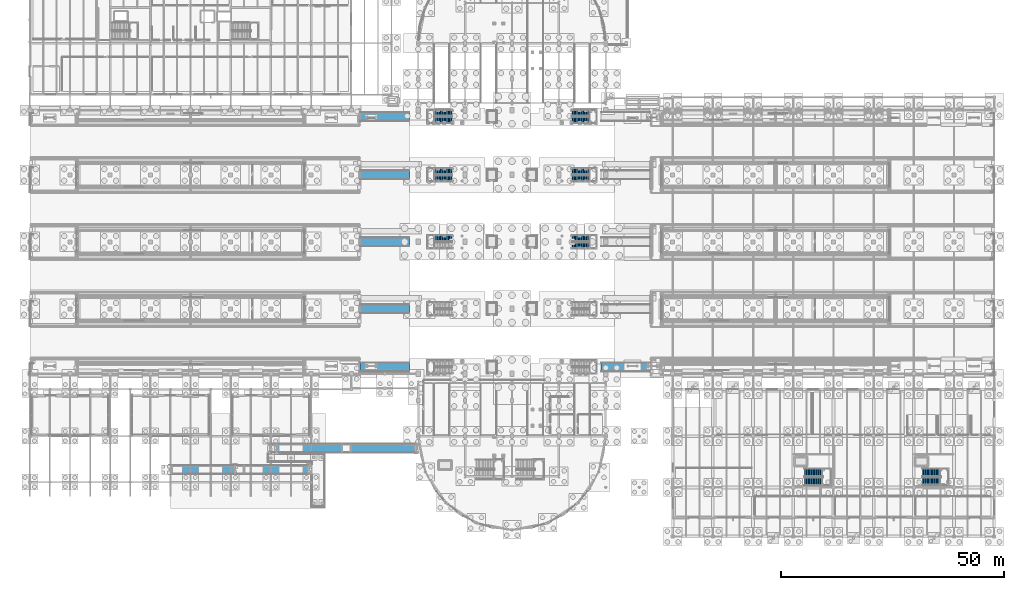
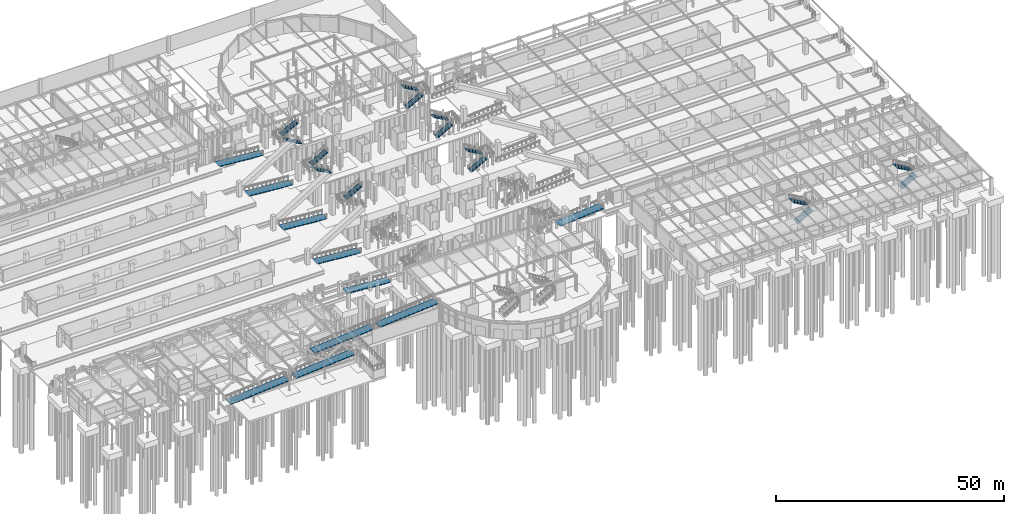
# One storey, part 115 of 160: 15 stair flights, 10 ramp flights, 16 elements without a shape of their own.
"""IFC4 building model written with IfcOpenShell, lengths in metres."""

from ifc_helpers import new_model, si_unit, direction, frame, origin, place, context, subcontext, project, spatial, polyline, outline, extrude, material, layer, layer_set, type_object, element, aggregate, save


model = new_model("IFC4")

# Units and contexts
model_context = context("Model", 3, precision=1e-05, world=origin(), true_north=direction((0.0, 1.0)))
body_context = subcontext(model_context, "Body", "Model", "MODEL_VIEW")
ifc_project = project(units=[si_unit("LENGTHUNIT", "METRE"), si_unit("AREAUNIT", "SQUARE_METRE"), si_unit("VOLUMEUNIT", "CUBIC_METRE"), si_unit("PLANEANGLEUNIT", "RADIAN"), si_unit("MASSUNIT", "GRAM", prefix="KILO")], contexts=[model_context])

# Site, building, storey
site_placement = place(None, origin())
site = spatial("IfcSite", under=ifc_project, at=site_placement, CompositionType="ELEMENT")
building_placement = place(site_placement, origin())
building = spatial("IfcBuilding", under=site, at=building_placement, Name="Marlcrest Central Station", CompositionType="ELEMENT")
storey_placement = place(building_placement, origin())
storey = spatial("IfcBuildingStorey", under=building, at=storey_placement, Name="L00", CompositionType="ELEMENT", Elevation=0.0)

# Stair, stair flight
ifc_material = material(Name="Concrete C35/45", Category="concrete")
stair_type_1 = type_object("IfcStairType", Name="ST-HTP", PredefinedType="HALF_TURN_STAIR", material=ifc_material)
stair_1_placement = place(storey_placement, origin())
stair_1 = element("IfcStair", 1, at=stair_1_placement, inside=storey, type_object=stair_type_1, Name="ST-P3W", PredefinedType="HALF_TURN_STAIR")
stair_flight_type_1 = type_object("IfcStairFlightType", Name="SF-145", PredefinedType="STRAIGHT", material=ifc_material)
stair_flight_1_placement = place(storey_placement, frame((90.590087890625, 66.804931640625, 2.39990234375), z_axis=(0.0, 0.0, 1.0), x_axis=(1.0, 0.0, 0.0)))
stair_flight_1 = element("IfcStairFlight", 2, at=stair_flight_1_placement, type_object=stair_flight_type_1, Name="ST-P3W-F2", NumberOfRisers=15, NumberOfTreads=14, PredefinedType="STRAIGHT", RiserHeight=0.16, TreadLength=0.285, context=body_context, shape_type="SweptSolid", body=[
    extrude(outline(polyline([(0.0, 0.0), (0.0, 0.159912109375), (0.284912109375, 0.159912109375), (0.284912109375, 0.320068359375), (0.570068359375, 0.320068359375), (0.570068359375, 0.47998046875), (0.85498046875, 0.47998046875), (0.85498046875, 0.639892578125), (1.139892578125, 0.639892578125), (1.139892578125, 0.800048828125), (1.425048828125, 0.800048828125), (1.425048828125, 0.9599609375), (1.7099609375, 0.9599609375), (1.7099609375, 1.1201171875), (1.9951171875, 1.1201171875), (1.9951171875, 1.280029296875), (2.280029296875, 1.280029296875), (2.280029296875, 1.43994140625), (2.56494140625, 1.43994140625), (2.56494140625, 1.60009765625), (2.85009765625, 1.60009765625), (2.85009765625, 1.760009765625), (3.135009765625, 1.760009765625), (3.135009765625, 1.919921875), (3.419921875, 1.919921875), (3.419921875, 2.080078125), (3.705078125, 2.080078125), (3.705078125, 2.239990234375), (3.989990234375, 2.239990234375), (3.989990234375, 2.39990234375), (3.989990234375, 2.056640625), (0.32666015625, 0.0), (0.0, 0.0)])), frame((0.0, 0.72509765625, 0.0), z_axis=(0.0, -1.0, 0.0), x_axis=(1.0, 0.0, 0.0)), (0.0, 0.0, 1.0), 1.449951171875),
])
aggregate(stair_1, [stair_flight_1])

# Stair, stair flights
stair_2_placement = place(storey_placement, origin())
stair_2 = element("IfcStair", 3, at=stair_2_placement, inside=storey, type_object=stair_type_1, Name="ST-P3E", PredefinedType="HALF_TURN_STAIR")
stair_flight_2_placement = place(storey_placement, frame((121.419921875, 65.195068359375, 0.0), z_axis=(0.0, 0.0, 1.0), x_axis=(1.0, 0.0, 0.0)))
stair_flight_2 = element("IfcStairFlight", 4, at=stair_flight_2_placement, type_object=stair_flight_type_1, Name="ST-P3E-F1", NumberOfRisers=15, NumberOfTreads=14, PredefinedType="STRAIGHT", RiserHeight=0.16, TreadLength=0.285, context=body_context, shape_type="SweptSolid", body=[
    extrude(outline(polyline([(0.0, 0.0), (0.0, 0.159912109375), (0.284912109375, 0.159912109375), (0.284912109375, 0.320068359375), (0.570068359375, 0.320068359375), (0.570068359375, 0.47998046875), (0.85498046875, 0.47998046875), (0.85498046875, 0.639892578125), (1.139892578125, 0.639892578125), (1.139892578125, 0.800048828125), (1.425048828125, 0.800048828125), (1.425048828125, 0.9599609375), (1.7099609375, 0.9599609375), (1.7099609375, 1.1201171875), (1.9951171875, 1.1201171875), (1.9951171875, 1.280029296875), (2.280029296875, 1.280029296875), (2.280029296875, 1.43994140625), (2.56494140625, 1.43994140625), (2.56494140625, 1.60009765625), (2.85009765625, 1.60009765625), (2.85009765625, 1.760009765625), (3.135009765625, 1.760009765625), (3.135009765625, 1.919921875), (3.419921875, 1.919921875), (3.419921875, 2.080078125), (3.705078125, 2.080078125), (3.705078125, 2.239990234375), (3.989990234375, 2.239990234375), (3.989990234375, 2.39990234375), (3.989990234375, 2.056640625), (0.32666015625, 0.0), (0.0, 0.0)])), frame((0.0, 0.72509765625, 0.0), z_axis=(0.0, -1.0, 0.0), x_axis=(1.0, 0.0, 0.0)), (0.0, 0.0, 1.0), 1.449951171875),
])
stair_flight_3_placement = place(storey_placement, frame((125.409912109375, 66.804931640625, 2.39990234375), z_axis=(0.0, 0.0, 1.0), x_axis=(-1.0, 0.0, 0.0)))
stair_flight_3 = element("IfcStairFlight", 5, at=stair_flight_3_placement, type_object=stair_flight_type_1, Name="ST-P3E-F2", NumberOfRisers=15, NumberOfTreads=14, PredefinedType="STRAIGHT", RiserHeight=0.16, TreadLength=0.285, context=body_context, shape_type="SweptSolid", body=[
    extrude(outline(polyline([(0.0, 0.0), (0.0, 0.159912109375), (0.284912109375, 0.159912109375), (0.284912109375, 0.320068359375), (0.570068359375, 0.320068359375), (0.570068359375, 0.47998046875), (0.85498046875, 0.47998046875), (0.85498046875, 0.639892578125), (1.139892578125, 0.639892578125), (1.139892578125, 0.800048828125), (1.425048828125, 0.800048828125), (1.425048828125, 0.9599609375), (1.7099609375, 0.9599609375), (1.7099609375, 1.1201171875), (1.9951171875, 1.1201171875), (1.9951171875, 1.280029296875), (2.280029296875, 1.280029296875), (2.280029296875, 1.43994140625), (2.56494140625, 1.43994140625), (2.56494140625, 1.60009765625), (2.85009765625, 1.60009765625), (2.85009765625, 1.760009765625), (3.135009765625, 1.760009765625), (3.135009765625, 1.919921875), (3.419921875, 1.919921875), (3.419921875, 2.080078125), (3.705078125, 2.080078125), (3.705078125, 2.239990234375), (3.989990234375, 2.239990234375), (3.989990234375, 2.39990234375), (3.989990234375, 2.056640625), (0.32666015625, 0.0), (0.0, 0.0)])), frame((0.0, 0.72509765625, 0.0), z_axis=(0.0, -1.0, 0.0), x_axis=(1.0, 0.0, 0.0)), (0.0, 0.0, 1.0), 1.449951171875),
])
aggregate(stair_2, [stair_flight_2, stair_flight_3])

stair_3_placement = place(storey_placement, origin())
stair_3 = element("IfcStair", 6, at=stair_3_placement, inside=storey, type_object=stair_type_1, Name="ST-P4W", PredefinedType="HALF_TURN_STAIR")
stair_flight_4_placement = place(storey_placement, frame((94.580078125, 80.195068359375, 0.0), z_axis=(0.0, 0.0, 1.0), x_axis=(-1.0, 0.0, 0.0)))
stair_flight_4 = element("IfcStairFlight", 7, at=stair_flight_4_placement, type_object=stair_flight_type_1, Name="ST-P4W-F1", NumberOfRisers=15, NumberOfTreads=14, PredefinedType="STRAIGHT", RiserHeight=0.16, TreadLength=0.285, context=body_context, shape_type="SweptSolid", body=[
    extrude(outline(polyline([(0.0, 0.0), (0.0, 0.159912109375), (0.284912109375, 0.159912109375), (0.284912109375, 0.320068359375), (0.570068359375, 0.320068359375), (0.570068359375, 0.47998046875), (0.85498046875, 0.47998046875), (0.85498046875, 0.639892578125), (1.139892578125, 0.639892578125), (1.139892578125, 0.800048828125), (1.425048828125, 0.800048828125), (1.425048828125, 0.9599609375), (1.7099609375, 0.9599609375), (1.7099609375, 1.1201171875), (1.9951171875, 1.1201171875), (1.9951171875, 1.280029296875), (2.280029296875, 1.280029296875), (2.280029296875, 1.43994140625), (2.56494140625, 1.43994140625), (2.56494140625, 1.60009765625), (2.85009765625, 1.60009765625), (2.85009765625, 1.760009765625), (3.135009765625, 1.760009765625), (3.135009765625, 1.919921875), (3.419921875, 1.919921875), (3.419921875, 2.080078125), (3.705078125, 2.080078125), (3.705078125, 2.239990234375), (3.989990234375, 2.239990234375), (3.989990234375, 2.39990234375), (3.989990234375, 2.056640625), (0.32666015625, 0.0), (0.0, 0.0)])), frame((0.0, 0.72509765625, 0.0), z_axis=(0.0, -1.0, 0.0), x_axis=(1.0, 0.0, 0.0)), (0.0, 0.0, 1.0), 1.449951171875),
])
stair_flight_5_placement = place(storey_placement, frame((90.590087890625, 81.804931640625, 2.39990234375), z_axis=(0.0, 0.0, 1.0), x_axis=(1.0, 0.0, 0.0)))
stair_flight_5 = element("IfcStairFlight", 8, at=stair_flight_5_placement, type_object=stair_flight_type_1, Name="ST-P4W-F2", NumberOfRisers=15, NumberOfTreads=14, PredefinedType="STRAIGHT", RiserHeight=0.16, TreadLength=0.285, context=body_context, shape_type="SweptSolid", body=[
    extrude(outline(polyline([(0.0, 0.0), (0.0, 0.159912109375), (0.284912109375, 0.159912109375), (0.284912109375, 0.320068359375), (0.570068359375, 0.320068359375), (0.570068359375, 0.47998046875), (0.85498046875, 0.47998046875), (0.85498046875, 0.639892578125), (1.139892578125, 0.639892578125), (1.139892578125, 0.800048828125), (1.425048828125, 0.800048828125), (1.425048828125, 0.9599609375), (1.7099609375, 0.9599609375), (1.7099609375, 1.1201171875), (1.9951171875, 1.1201171875), (1.9951171875, 1.280029296875), (2.280029296875, 1.280029296875), (2.280029296875, 1.43994140625), (2.56494140625, 1.43994140625), (2.56494140625, 1.60009765625), (2.85009765625, 1.60009765625), (2.85009765625, 1.760009765625), (3.135009765625, 1.760009765625), (3.135009765625, 1.919921875), (3.419921875, 1.919921875), (3.419921875, 2.080078125), (3.705078125, 2.080078125), (3.705078125, 2.239990234375), (3.989990234375, 2.239990234375), (3.989990234375, 2.39990234375), (3.989990234375, 2.056640625), (0.32666015625, 0.0), (0.0, 0.0)])), frame((0.0, 0.72509765625, 0.0), z_axis=(0.0, -1.0, 0.0), x_axis=(1.0, 0.0, 0.0)), (0.0, 0.0, 1.0), 1.449951171875),
])
aggregate(stair_3, [stair_flight_4, stair_flight_5])

stair_4_placement = place(storey_placement, origin())
stair_4 = element("IfcStair", 9, at=stair_4_placement, inside=storey, type_object=stair_type_1, Name="ST-P4E", PredefinedType="HALF_TURN_STAIR")
stair_flight_6_placement = place(storey_placement, frame((121.419921875, 80.195068359375, 0.0), z_axis=(0.0, 0.0, 1.0), x_axis=(1.0, 0.0, 0.0)))
stair_flight_6 = element("IfcStairFlight", 10, at=stair_flight_6_placement, type_object=stair_flight_type_1, Name="ST-P4E-F1", NumberOfRisers=15, NumberOfTreads=14, PredefinedType="STRAIGHT", RiserHeight=0.16, TreadLength=0.285, context=body_context, shape_type="SweptSolid", body=[
    extrude(outline(polyline([(0.0, 0.0), (0.0, 0.159912109375), (0.284912109375, 0.159912109375), (0.284912109375, 0.320068359375), (0.570068359375, 0.320068359375), (0.570068359375, 0.47998046875), (0.85498046875, 0.47998046875), (0.85498046875, 0.639892578125), (1.139892578125, 0.639892578125), (1.139892578125, 0.800048828125), (1.425048828125, 0.800048828125), (1.425048828125, 0.9599609375), (1.7099609375, 0.9599609375), (1.7099609375, 1.1201171875), (1.9951171875, 1.1201171875), (1.9951171875, 1.280029296875), (2.280029296875, 1.280029296875), (2.280029296875, 1.43994140625), (2.56494140625, 1.43994140625), (2.56494140625, 1.60009765625), (2.85009765625, 1.60009765625), (2.85009765625, 1.760009765625), (3.135009765625, 1.760009765625), (3.135009765625, 1.919921875), (3.419921875, 1.919921875), (3.419921875, 2.080078125), (3.705078125, 2.080078125), (3.705078125, 2.239990234375), (3.989990234375, 2.239990234375), (3.989990234375, 2.39990234375), (3.989990234375, 2.056640625), (0.32666015625, 0.0), (0.0, 0.0)])), frame((0.0, 0.72509765625, 0.0), z_axis=(0.0, -1.0, 0.0), x_axis=(1.0, 0.0, 0.0)), (0.0, 0.0, 1.0), 1.449951171875),
])
stair_flight_7_placement = place(storey_placement, frame((125.409912109375, 81.804931640625, 2.39990234375), z_axis=(0.0, 0.0, 1.0), x_axis=(-1.0, 0.0, 0.0)))
stair_flight_7 = element("IfcStairFlight", 11, at=stair_flight_7_placement, type_object=stair_flight_type_1, Name="ST-P4E-F2", NumberOfRisers=15, NumberOfTreads=14, PredefinedType="STRAIGHT", RiserHeight=0.16, TreadLength=0.285, context=body_context, shape_type="SweptSolid", body=[
    extrude(outline(polyline([(0.0, 0.0), (0.0, 0.159912109375), (0.284912109375, 0.159912109375), (0.284912109375, 0.320068359375), (0.570068359375, 0.320068359375), (0.570068359375, 0.47998046875), (0.85498046875, 0.47998046875), (0.85498046875, 0.639892578125), (1.139892578125, 0.639892578125), (1.139892578125, 0.800048828125), (1.425048828125, 0.800048828125), (1.425048828125, 0.9599609375), (1.7099609375, 0.9599609375), (1.7099609375, 1.1201171875), (1.9951171875, 1.1201171875), (1.9951171875, 1.280029296875), (2.280029296875, 1.280029296875), (2.280029296875, 1.43994140625), (2.56494140625, 1.43994140625), (2.56494140625, 1.60009765625), (2.85009765625, 1.60009765625), (2.85009765625, 1.760009765625), (3.135009765625, 1.760009765625), (3.135009765625, 1.919921875), (3.419921875, 1.919921875), (3.419921875, 2.080078125), (3.705078125, 2.080078125), (3.705078125, 2.239990234375), (3.989990234375, 2.239990234375), (3.989990234375, 2.39990234375), (3.989990234375, 2.056640625), (0.32666015625, 0.0), (0.0, 0.0)])), frame((0.0, 0.72509765625, 0.0), z_axis=(0.0, -1.0, 0.0), x_axis=(1.0, 0.0, 0.0)), (0.0, 0.0, 1.0), 1.449951171875),
])
aggregate(stair_4, [stair_flight_6, stair_flight_7])

stair_5_placement = place(storey_placement, origin())
stair_5 = element("IfcStair", 12, at=stair_5_placement, inside=storey, type_object=stair_type_1, Name="ST-P5W", PredefinedType="HALF_TURN_STAIR")
stair_flight_8_placement = place(storey_placement, frame((94.580078125, 93.2451171875, 0.0), z_axis=(0.0, 0.0, 1.0), x_axis=(-1.0, 0.0, 0.0)))
stair_flight_8 = element("IfcStairFlight", 13, at=stair_flight_8_placement, type_object=stair_flight_type_1, Name="ST-P5W-F1", NumberOfRisers=15, NumberOfTreads=14, PredefinedType="STRAIGHT", RiserHeight=0.16, TreadLength=0.285, context=body_context, shape_type="SweptSolid", body=[
    extrude(outline(polyline([(0.0, 0.0), (0.0, 0.159912109375), (0.284912109375, 0.159912109375), (0.284912109375, 0.320068359375), (0.570068359375, 0.320068359375), (0.570068359375, 0.47998046875), (0.85498046875, 0.47998046875), (0.85498046875, 0.639892578125), (1.139892578125, 0.639892578125), (1.139892578125, 0.800048828125), (1.425048828125, 0.800048828125), (1.425048828125, 0.9599609375), (1.7099609375, 0.9599609375), (1.7099609375, 1.1201171875), (1.9951171875, 1.1201171875), (1.9951171875, 1.280029296875), (2.280029296875, 1.280029296875), (2.280029296875, 1.43994140625), (2.56494140625, 1.43994140625), (2.56494140625, 1.60009765625), (2.85009765625, 1.60009765625), (2.85009765625, 1.760009765625), (3.135009765625, 1.760009765625), (3.135009765625, 1.919921875), (3.419921875, 1.919921875), (3.419921875, 2.080078125), (3.705078125, 2.080078125), (3.705078125, 2.239990234375), (3.989990234375, 2.239990234375), (3.989990234375, 2.39990234375), (3.989990234375, 2.056640625), (0.32666015625, 0.0), (0.0, 0.0)])), frame((0.0, 0.72509765625, 0.0), z_axis=(0.0, -1.0, 0.0), x_axis=(1.0, 0.0, 0.0)), (0.0, 0.0, 1.0), 1.449951171875),
])
stair_flight_9_placement = place(storey_placement, frame((90.590087890625, 94.85498046875, 2.39990234375), z_axis=(0.0, 0.0, 1.0), x_axis=(1.0, 0.0, 0.0)))
stair_flight_9 = element("IfcStairFlight", 14, at=stair_flight_9_placement, type_object=stair_flight_type_1, Name="ST-P5W-F2", NumberOfRisers=15, NumberOfTreads=14, PredefinedType="STRAIGHT", RiserHeight=0.16, TreadLength=0.285, context=body_context, shape_type="SweptSolid", body=[
    extrude(outline(polyline([(0.0, 0.0), (0.0, 0.159912109375), (0.284912109375, 0.159912109375), (0.284912109375, 0.320068359375), (0.570068359375, 0.320068359375), (0.570068359375, 0.47998046875), (0.85498046875, 0.47998046875), (0.85498046875, 0.639892578125), (1.139892578125, 0.639892578125), (1.139892578125, 0.800048828125), (1.425048828125, 0.800048828125), (1.425048828125, 0.9599609375), (1.7099609375, 0.9599609375), (1.7099609375, 1.1201171875), (1.9951171875, 1.1201171875), (1.9951171875, 1.280029296875), (2.280029296875, 1.280029296875), (2.280029296875, 1.43994140625), (2.56494140625, 1.43994140625), (2.56494140625, 1.60009765625), (2.85009765625, 1.60009765625), (2.85009765625, 1.760009765625), (3.135009765625, 1.760009765625), (3.135009765625, 1.919921875), (3.419921875, 1.919921875), (3.419921875, 2.080078125), (3.705078125, 2.080078125), (3.705078125, 2.239990234375), (3.989990234375, 2.239990234375), (3.989990234375, 2.39990234375), (3.989990234375, 2.056640625), (0.32666015625, 0.0), (0.0, 0.0)])), frame((0.0, 0.72509765625, 0.0), z_axis=(0.0, -1.0, 0.0), x_axis=(1.0, 0.0, 0.0)), (0.0, 0.0, 1.0), 1.449951171875),
])
aggregate(stair_5, [stair_flight_8, stair_flight_9])

stair_6_placement = place(storey_placement, origin())
stair_6 = element("IfcStair", 15, at=stair_6_placement, inside=storey, type_object=stair_type_1, Name="ST-P5E", PredefinedType="HALF_TURN_STAIR")
stair_flight_10_placement = place(storey_placement, frame((121.419921875, 93.2451171875, 0.0), z_axis=(0.0, 0.0, 1.0), x_axis=(1.0, 0.0, 0.0)))
stair_flight_10 = element("IfcStairFlight", 16, at=stair_flight_10_placement, type_object=stair_flight_type_1, Name="ST-P5E-F1", NumberOfRisers=15, NumberOfTreads=14, PredefinedType="STRAIGHT", RiserHeight=0.16, TreadLength=0.285, context=body_context, shape_type="SweptSolid", body=[
    extrude(outline(polyline([(0.0, 0.0), (0.0, 0.159912109375), (0.284912109375, 0.159912109375), (0.284912109375, 0.320068359375), (0.570068359375, 0.320068359375), (0.570068359375, 0.47998046875), (0.85498046875, 0.47998046875), (0.85498046875, 0.639892578125), (1.139892578125, 0.639892578125), (1.139892578125, 0.800048828125), (1.425048828125, 0.800048828125), (1.425048828125, 0.9599609375), (1.7099609375, 0.9599609375), (1.7099609375, 1.1201171875), (1.9951171875, 1.1201171875), (1.9951171875, 1.280029296875), (2.280029296875, 1.280029296875), (2.280029296875, 1.43994140625), (2.56494140625, 1.43994140625), (2.56494140625, 1.60009765625), (2.85009765625, 1.60009765625), (2.85009765625, 1.760009765625), (3.135009765625, 1.760009765625), (3.135009765625, 1.919921875), (3.419921875, 1.919921875), (3.419921875, 2.080078125), (3.705078125, 2.080078125), (3.705078125, 2.239990234375), (3.989990234375, 2.239990234375), (3.989990234375, 2.39990234375), (3.989990234375, 2.056640625), (0.32666015625, 0.0), (0.0, 0.0)])), frame((0.0, 0.72509765625, 0.0), z_axis=(0.0, -1.0, 0.0), x_axis=(1.0, 0.0, 0.0)), (0.0, 0.0, 1.0), 1.449951171875),
])
stair_flight_11_placement = place(storey_placement, frame((125.409912109375, 94.85498046875, 2.39990234375), z_axis=(0.0, 0.0, 1.0), x_axis=(-1.0, 0.0, 0.0)))
stair_flight_11 = element("IfcStairFlight", 17, at=stair_flight_11_placement, type_object=stair_flight_type_1, Name="ST-P5E-F2", NumberOfRisers=15, NumberOfTreads=14, PredefinedType="STRAIGHT", RiserHeight=0.16, TreadLength=0.285, context=body_context, shape_type="SweptSolid", body=[
    extrude(outline(polyline([(0.0, 0.0), (0.0, 0.159912109375), (0.284912109375, 0.159912109375), (0.284912109375, 0.320068359375), (0.570068359375, 0.320068359375), (0.570068359375, 0.47998046875), (0.85498046875, 0.47998046875), (0.85498046875, 0.639892578125), (1.139892578125, 0.639892578125), (1.139892578125, 0.800048828125), (1.425048828125, 0.800048828125), (1.425048828125, 0.9599609375), (1.7099609375, 0.9599609375), (1.7099609375, 1.1201171875), (1.9951171875, 1.1201171875), (1.9951171875, 1.280029296875), (2.280029296875, 1.280029296875), (2.280029296875, 1.43994140625), (2.56494140625, 1.43994140625), (2.56494140625, 1.60009765625), (2.85009765625, 1.60009765625), (2.85009765625, 1.760009765625), (3.135009765625, 1.760009765625), (3.135009765625, 1.919921875), (3.419921875, 1.919921875), (3.419921875, 2.080078125), (3.705078125, 2.080078125), (3.705078125, 2.239990234375), (3.989990234375, 2.239990234375), (3.989990234375, 2.39990234375), (3.989990234375, 2.056640625), (0.32666015625, 0.0), (0.0, 0.0)])), frame((0.0, 0.72509765625, 0.0), z_axis=(0.0, -1.0, 0.0), x_axis=(1.0, 0.0, 0.0)), (0.0, 0.0, 1.0), 1.449951171875),
])
aggregate(stair_6, [stair_flight_10, stair_flight_11])

stair_type_2 = type_object("IfcStairType", Name="ST-HTS", PredefinedType="HALF_TURN_STAIR", material=ifc_material)
stair_7_placement = place(storey_placement, origin())
stair_7 = element("IfcStair", 18, at=stair_7_placement, inside=storey, type_object=stair_type_2, Name="ST-R10", PredefinedType="HALF_TURN_STAIR")
stair_flight_type_2 = type_object("IfcStairFlightType", Name="SF-180", PredefinedType="STRAIGHT", material=ifc_material)
stair_flight_12_placement = place(storey_placement, frame((173.52001953125, 12.3701171875, 0.0), z_axis=(0.0, 0.0, 1.0), x_axis=(1.0, 0.0, 0.0)))
stair_flight_12 = element("IfcStairFlight", 19, at=stair_flight_12_placement, type_object=stair_flight_type_2, Name="ST-R10-F1", NumberOfRisers=15, NumberOfTreads=14, PredefinedType="STRAIGHT", RiserHeight=0.16, TreadLength=0.285, context=body_context, shape_type="SweptSolid", body=[
    extrude(outline(polyline([(0.0, 0.0), (0.0, 0.159912109375), (0.284912109375, 0.159912109375), (0.284912109375, 0.320068359375), (0.570068359375, 0.320068359375), (0.570068359375, 0.47998046875), (0.85498046875, 0.47998046875), (0.85498046875, 0.639892578125), (1.139892578125, 0.639892578125), (1.139892578125, 0.800048828125), (1.425048828125, 0.800048828125), (1.425048828125, 0.9599609375), (1.7099609375, 0.9599609375), (1.7099609375, 1.1201171875), (1.9951171875, 1.1201171875), (1.9951171875, 1.280029296875), (2.280029296875, 1.280029296875), (2.280029296875, 1.43994140625), (2.56494140625, 1.43994140625), (2.56494140625, 1.60009765625), (2.85009765625, 1.60009765625), (2.85009765625, 1.760009765625), (3.135009765625, 1.760009765625), (3.135009765625, 1.919921875), (3.419921875, 1.919921875), (3.419921875, 2.080078125), (3.705078125, 2.080078125), (3.705078125, 2.239990234375), (3.989990234375, 2.239990234375), (3.989990234375, 2.39990234375), (3.989990234375, 2.05078125), (0.337158203125, 0.0), (0.0, 0.0)])), frame((0.0, 0.89990234375, 0.0), z_axis=(0.0, -1.0, 0.0), x_axis=(1.0, 0.0, 0.0)), (0.0, 0.0, 1.0), 1.800048828125),
])
stair_flight_13_placement = place(storey_placement, frame((177.510009765625, 14.330078125, 2.39990234375), z_axis=(0.0, 0.0, 1.0), x_axis=(-1.0, 0.0, 0.0)))
stair_flight_13 = element("IfcStairFlight", 20, at=stair_flight_13_placement, type_object=stair_flight_type_2, Name="ST-R10-F2", NumberOfRisers=15, NumberOfTreads=14, PredefinedType="STRAIGHT", RiserHeight=0.16, TreadLength=0.285, context=body_context, shape_type="SweptSolid", body=[
    extrude(outline(polyline([(0.0, 0.0), (0.0, 0.159912109375), (0.284912109375, 0.159912109375), (0.284912109375, 0.320068359375), (0.570068359375, 0.320068359375), (0.570068359375, 0.47998046875), (0.85498046875, 0.47998046875), (0.85498046875, 0.639892578125), (1.139892578125, 0.639892578125), (1.139892578125, 0.800048828125), (1.425048828125, 0.800048828125), (1.425048828125, 0.9599609375), (1.7099609375, 0.9599609375), (1.7099609375, 1.1201171875), (1.9951171875, 1.1201171875), (1.9951171875, 1.280029296875), (2.280029296875, 1.280029296875), (2.280029296875, 1.43994140625), (2.56494140625, 1.43994140625), (2.56494140625, 1.60009765625), (2.85009765625, 1.60009765625), (2.85009765625, 1.760009765625), (3.135009765625, 1.760009765625), (3.135009765625, 1.919921875), (3.419921875, 1.919921875), (3.419921875, 2.080078125), (3.705078125, 2.080078125), (3.705078125, 2.239990234375), (3.989990234375, 2.239990234375), (3.989990234375, 2.39990234375), (3.989990234375, 2.05078125), (0.337158203125, 0.0), (0.0, 0.0)])), frame((0.0, 0.89990234375, 0.0), z_axis=(0.0, -1.0, 0.0), x_axis=(1.0, 0.0, 0.0)), (0.0, 0.0, 1.0), 1.800048828125),
])
aggregate(stair_7, [stair_flight_12, stair_flight_13])

stair_8_placement = place(storey_placement, origin())
stair_8 = element("IfcStair", 21, at=stair_8_placement, inside=storey, type_object=stair_type_2, Name="ST-R20", PredefinedType="HALF_TURN_STAIR")
stair_flight_14_placement = place(storey_placement, frame((199.919921875, 12.3701171875, 0.0), z_axis=(0.0, 0.0, 1.0), x_axis=(1.0, 0.0, 0.0)))
stair_flight_14 = element("IfcStairFlight", 22, at=stair_flight_14_placement, type_object=stair_flight_type_2, Name="ST-R20-F1", NumberOfRisers=15, NumberOfTreads=14, PredefinedType="STRAIGHT", RiserHeight=0.16, TreadLength=0.285, context=body_context, shape_type="SweptSolid", body=[
    extrude(outline(polyline([(0.0, 0.0), (0.0, 0.159912109375), (0.284912109375, 0.159912109375), (0.284912109375, 0.320068359375), (0.570068359375, 0.320068359375), (0.570068359375, 0.47998046875), (0.85498046875, 0.47998046875), (0.85498046875, 0.639892578125), (1.139892578125, 0.639892578125), (1.139892578125, 0.800048828125), (1.425048828125, 0.800048828125), (1.425048828125, 0.9599609375), (1.7099609375, 0.9599609375), (1.7099609375, 1.1201171875), (1.9951171875, 1.1201171875), (1.9951171875, 1.280029296875), (2.280029296875, 1.280029296875), (2.280029296875, 1.43994140625), (2.56494140625, 1.43994140625), (2.56494140625, 1.60009765625), (2.85009765625, 1.60009765625), (2.85009765625, 1.760009765625), (3.135009765625, 1.760009765625), (3.135009765625, 1.919921875), (3.419921875, 1.919921875), (3.419921875, 2.080078125), (3.705078125, 2.080078125), (3.705078125, 2.239990234375), (3.989990234375, 2.239990234375), (3.989990234375, 2.39990234375), (3.989990234375, 2.05078125), (0.337158203125, 0.0), (0.0, 0.0)])), frame((0.0, 0.89990234375, 0.0), z_axis=(0.0, -1.0, 0.0), x_axis=(1.0, 0.0, 0.0)), (0.0, 0.0, 1.0), 1.800048828125),
])
stair_flight_15_placement = place(storey_placement, frame((203.909912109375, 14.330078125, 2.39990234375), z_axis=(0.0, 0.0, 1.0), x_axis=(-1.0, 0.0, 0.0)))
stair_flight_15 = element("IfcStairFlight", 23, at=stair_flight_15_placement, type_object=stair_flight_type_2, Name="ST-R20-F2", NumberOfRisers=15, NumberOfTreads=14, PredefinedType="STRAIGHT", RiserHeight=0.16, TreadLength=0.285, context=body_context, shape_type="SweptSolid", body=[
    extrude(outline(polyline([(0.0, 0.0), (0.0, 0.159912109375), (0.284912109375, 0.159912109375), (0.284912109375, 0.320068359375), (0.570068359375, 0.320068359375), (0.570068359375, 0.47998046875), (0.85498046875, 0.47998046875), (0.85498046875, 0.639892578125), (1.139892578125, 0.639892578125), (1.139892578125, 0.800048828125), (1.425048828125, 0.800048828125), (1.425048828125, 0.9599609375), (1.7099609375, 0.9599609375), (1.7099609375, 1.1201171875), (1.9951171875, 1.1201171875), (1.9951171875, 1.280029296875), (2.280029296875, 1.280029296875), (2.280029296875, 1.43994140625), (2.56494140625, 1.43994140625), (2.56494140625, 1.60009765625), (2.85009765625, 1.60009765625), (2.85009765625, 1.760009765625), (3.135009765625, 1.760009765625), (3.135009765625, 1.919921875), (3.419921875, 1.919921875), (3.419921875, 2.080078125), (3.705078125, 2.080078125), (3.705078125, 2.239990234375), (3.989990234375, 2.239990234375), (3.989990234375, 2.39990234375), (3.989990234375, 2.05078125), (0.337158203125, 0.0), (0.0, 0.0)])), frame((0.0, 0.89990234375, 0.0), z_axis=(0.0, -1.0, 0.0), x_axis=(1.0, 0.0, 0.0)), (0.0, 0.0, 1.0), 1.800048828125),
])
aggregate(stair_8, [stair_flight_14, stair_flight_15])

# Ramp, ramp flight
ramp_type = type_object("IfcRampType", Name="RP-01", PredefinedType="STRAIGHT_RUN_RAMP", material=ifc_material)
ramp_1_placement = place(storey_placement, origin())
ramp_1 = element("IfcRamp", 24, at=ramp_1_placement, inside=storey, type_object=ramp_type, Name="RMP-P1W", PredefinedType="STRAIGHT_RUN_RAMP")
ifc_layer = layer(ifc_material, 0.219970703125, Name="RF-01")
ifc_layer_set = layer_set([ifc_layer], Name="Concrete C35/45")
ramp_flight_type = type_object("IfcRampFlightType", Name="RF-01", PredefinedType="STRAIGHT", material=ifc_layer_set)
ramp_flight_1_placement = place(storey_placement, frame((85.080078125, 37.949951171875, 0.0), z_axis=(0.0, 0.0, 1.0), x_axis=(-1.0, 0.0, 0.0)))
ramp_flight_1 = element("IfcRampFlight", 25, at=ramp_flight_1_placement, type_object=ramp_flight_type, Name="RMP-P1W-F1", PredefinedType="STRAIGHT", context=body_context, shape_type="SweptSolid", body=[
    extrude(outline(polyline([(0.0, -0.219970703125), (0.0, 0.0), (11.159912109375, 0.9150390625), (11.159912109375, 0.695068359375), (0.0, -0.219970703125)])), frame((0.0, 1.050048828125, 0.0), z_axis=(0.0, -1.0, 0.0), x_axis=(1.0, 0.0, 0.0)), (0.0, 0.0, 1.0), 2.10009765625),
])
aggregate(ramp_1, [ramp_flight_1])

ramp_2_placement = place(storey_placement, origin())
ramp_2 = element("IfcRamp", 26, at=ramp_2_placement, inside=storey, type_object=ramp_type, Name="RMP-P1E", PredefinedType="STRAIGHT_RUN_RAMP")
ramp_flight_2_placement = place(storey_placement, frame((127.919921875, 37.949951171875, 0.0), z_axis=(0.0, 0.0, 1.0), x_axis=(1.0, 0.0, 0.0)))
ramp_flight_2 = element("IfcRampFlight", 27, at=ramp_flight_2_placement, type_object=ramp_flight_type, Name="RMP-P1E-F1", PredefinedType="STRAIGHT", context=body_context, shape_type="SweptSolid", body=[
    extrude(outline(polyline([(0.0, -0.219970703125), (0.0, 0.0), (11.159912109375, 0.9150390625), (11.159912109375, 0.695068359375), (0.0, -0.219970703125)])), frame((0.0, 1.050048828125, 0.0), z_axis=(0.0, -1.0, 0.0), x_axis=(1.0, 0.0, 0.0)), (0.0, 0.0, 1.0), 2.10009765625),
])
aggregate(ramp_2, [ramp_flight_2])

ramp_3_placement = place(storey_placement, origin())
ramp_3 = element("IfcRamp", 28, at=ramp_3_placement, inside=storey, type_object=ramp_type, Name="RMP-P2W", PredefinedType="STRAIGHT_RUN_RAMP")
ramp_flight_3_placement = place(storey_placement, frame((85.080078125, 51.0, 0.0), z_axis=(0.0, 0.0, 1.0), x_axis=(-1.0, 0.0, 0.0)))
ramp_flight_3 = element("IfcRampFlight", 29, at=ramp_flight_3_placement, type_object=ramp_flight_type, Name="RMP-P2W-F1", PredefinedType="STRAIGHT", context=body_context, shape_type="SweptSolid", body=[
    extrude(outline(polyline([(0.0, -0.219970703125), (0.0, 0.0), (11.159912109375, 0.9150390625), (11.159912109375, 0.695068359375), (0.0, -0.219970703125)])), frame((0.0, 1.050048828125, 0.0), z_axis=(0.0, -1.0, 0.0), x_axis=(1.0, 0.0, 0.0)), (0.0, 0.0, 1.0), 2.10009765625),
])
aggregate(ramp_3, [ramp_flight_3])

ramp_4_placement = place(storey_placement, origin())
ramp_4 = element("IfcRamp", 30, at=ramp_4_placement, inside=storey, type_object=ramp_type, Name="RMP-P3W", PredefinedType="STRAIGHT_RUN_RAMP")
ramp_flight_4_placement = place(storey_placement, frame((85.080078125, 66.0, 0.0), z_axis=(0.0, 0.0, 1.0), x_axis=(-1.0, 0.0, 0.0)))
ramp_flight_4 = element("IfcRampFlight", 31, at=ramp_flight_4_placement, type_object=ramp_flight_type, Name="RMP-P3W-F1", PredefinedType="STRAIGHT", context=body_context, shape_type="SweptSolid", body=[
    extrude(outline(polyline([(0.0, -0.219970703125), (0.0, 0.0), (11.159912109375, 0.9150390625), (11.159912109375, 0.695068359375), (0.0, -0.219970703125)])), frame((0.0, 1.050048828125, 0.0), z_axis=(0.0, -1.0, 0.0), x_axis=(1.0, 0.0, 0.0)), (0.0, 0.0, 1.0), 2.10009765625),
])
aggregate(ramp_4, [ramp_flight_4])

ramp_5_placement = place(storey_placement, origin())
ramp_5 = element("IfcRamp", 32, at=ramp_5_placement, inside=storey, type_object=ramp_type, Name="RMP-P4W", PredefinedType="STRAIGHT_RUN_RAMP")
ramp_flight_5_placement = place(storey_placement, frame((85.080078125, 81.0, 0.0), z_axis=(0.0, 0.0, 1.0), x_axis=(-1.0, 0.0, 0.0)))
ramp_flight_5 = element("IfcRampFlight", 33, at=ramp_flight_5_placement, type_object=ramp_flight_type, Name="RMP-P4W-F1", PredefinedType="STRAIGHT", context=body_context, shape_type="SweptSolid", body=[
    extrude(outline(polyline([(0.0, -0.219970703125), (0.0, 0.0), (11.159912109375, 0.9150390625), (11.159912109375, 0.695068359375), (0.0, -0.219970703125)])), frame((0.0, 1.050048828125, 0.0), z_axis=(0.0, -1.0, 0.0), x_axis=(1.0, 0.0, 0.0)), (0.0, 0.0, 1.0), 2.10009765625),
])
aggregate(ramp_5, [ramp_flight_5])

ramp_6_placement = place(storey_placement, origin())
ramp_6 = element("IfcRamp", 34, at=ramp_6_placement, inside=storey, type_object=ramp_type, Name="RMP-P5W", PredefinedType="STRAIGHT_RUN_RAMP")
ramp_flight_6_placement = place(storey_placement, frame((85.080078125, 94.050048828125, 0.0), z_axis=(0.0, 0.0, 1.0), x_axis=(-1.0, 0.0, 0.0)))
ramp_flight_6 = element("IfcRampFlight", 35, at=ramp_flight_6_placement, type_object=ramp_flight_type, Name="RMP-P5W-F1", PredefinedType="STRAIGHT", context=body_context, shape_type="SweptSolid", body=[
    extrude(outline(polyline([(0.0, -0.219970703125), (0.0, 0.0), (11.159912109375, 0.9150390625), (11.159912109375, 0.695068359375), (0.0, -0.219970703125)])), frame((0.0, 1.050048828125, 0.0), z_axis=(0.0, -1.0, 0.0), x_axis=(1.0, 0.0, 0.0)), (0.0, 0.0, 1.0), 2.10009765625),
])
aggregate(ramp_6, [ramp_flight_6])

# Ramp, ramp flights
ramp_7_placement = place(storey_placement, origin())
ramp_7 = element("IfcRamp", 36, at=ramp_7_placement, inside=storey, type_object=ramp_type, Name="RMP-01", PredefinedType="STRAIGHT_RUN_RAMP")
ramp_flight_7_placement = place(storey_placement, frame((31.219970703125, 15.0, 0.0), z_axis=(0.0, 0.0, 1.0), x_axis=(1.0, 0.0, 0.0)))
ramp_flight_7 = element("IfcRampFlight", 37, at=ramp_flight_7_placement, type_object=ramp_flight_type, Name="RMP-01-F1", PredefinedType="STRAIGHT", context=body_context, shape_type="SweptSolid", body=[
    extrude(outline(polyline([(0.0, -0.219970703125), (0.0, 0.0), (14.760009765625, 1.199951171875), (14.760009765625, 0.97998046875), (0.0, -0.219970703125)])), frame((0.0, 1.050048828125, 0.0), z_axis=(0.0, -1.0, 0.0), x_axis=(1.0, 0.0, 0.0)), (0.0, 0.0, 1.0), 2.10009765625),
])
ramp_flight_8_placement = place(storey_placement, frame((47.820068359375, 15.0, 1.199951171875), z_axis=(0.0, 0.0, 1.0), x_axis=(1.0, 0.0, 0.0)))
ramp_flight_8 = element("IfcRampFlight", 38, at=ramp_flight_8_placement, type_object=ramp_flight_type, Name="RMP-01-F2", PredefinedType="STRAIGHT", context=body_context, shape_type="SweptSolid", body=[
    extrude(outline(polyline([(0.0, -0.219970703125), (0.0, 0.0), (14.760009765625, 1.199951171875), (14.760009765625, 0.97998046875), (0.0, -0.219970703125)])), frame((0.0, 1.050048828125, 0.0), z_axis=(0.0, -1.0, 0.0), x_axis=(1.0, 0.0, 0.0)), (0.0, 0.0, 1.0), 2.10009765625),
])
aggregate(ramp_7, [ramp_flight_7, ramp_flight_8])

ramp_8_placement = place(storey_placement, origin())
ramp_8 = element("IfcRamp", 39, at=ramp_8_placement, inside=storey, type_object=ramp_type, Name="RMP-02", PredefinedType="STRAIGHT_RUN_RAMP")
ramp_flight_9_placement = place(storey_placement, frame((55.219970703125, 19.800048828125, 2.39990234375), z_axis=(0.0, 0.0, 1.0), x_axis=(1.0, 0.0, 0.0)))
ramp_flight_9 = element("IfcRampFlight", 40, at=ramp_flight_9_placement, type_object=ramp_flight_type, Name="RMP-02-F1", PredefinedType="STRAIGHT", context=body_context, shape_type="SweptSolid", body=[
    extrude(outline(polyline([(0.0, -0.219970703125), (0.0, 0.0), (14.760009765625, 1.199951171875), (14.760009765625, 0.97998046875), (0.0, -0.219970703125)])), frame((0.0, 1.050048828125, 0.0), z_axis=(0.0, -1.0, 0.0), x_axis=(1.0, 0.0, 0.0)), (0.0, 0.0, 1.0), 2.10009765625),
])
ramp_flight_10_placement = place(storey_placement, frame((71.820068359375, 19.800048828125, 3.60009765625), z_axis=(0.0, 0.0, 1.0), x_axis=(1.0, 0.0, 0.0)))
ramp_flight_10 = element("IfcRampFlight", 41, at=ramp_flight_10_placement, type_object=ramp_flight_type, Name="RMP-02-F2", PredefinedType="STRAIGHT", context=body_context, shape_type="SweptSolid", body=[
    extrude(outline(polyline([(0.0, -0.219970703125), (0.0, 0.0), (14.760009765625, 1.199951171875), (14.760009765625, 0.97998046875), (0.0, -0.219970703125)])), frame((0.0, 1.050048828125, 0.0), z_axis=(0.0, -1.0, 0.0), x_axis=(1.0, 0.0, 0.0)), (0.0, 0.0, 1.0), 2.10009765625),
])
aggregate(ramp_8, [ramp_flight_9, ramp_flight_10])

save(model, "model.ifc")
